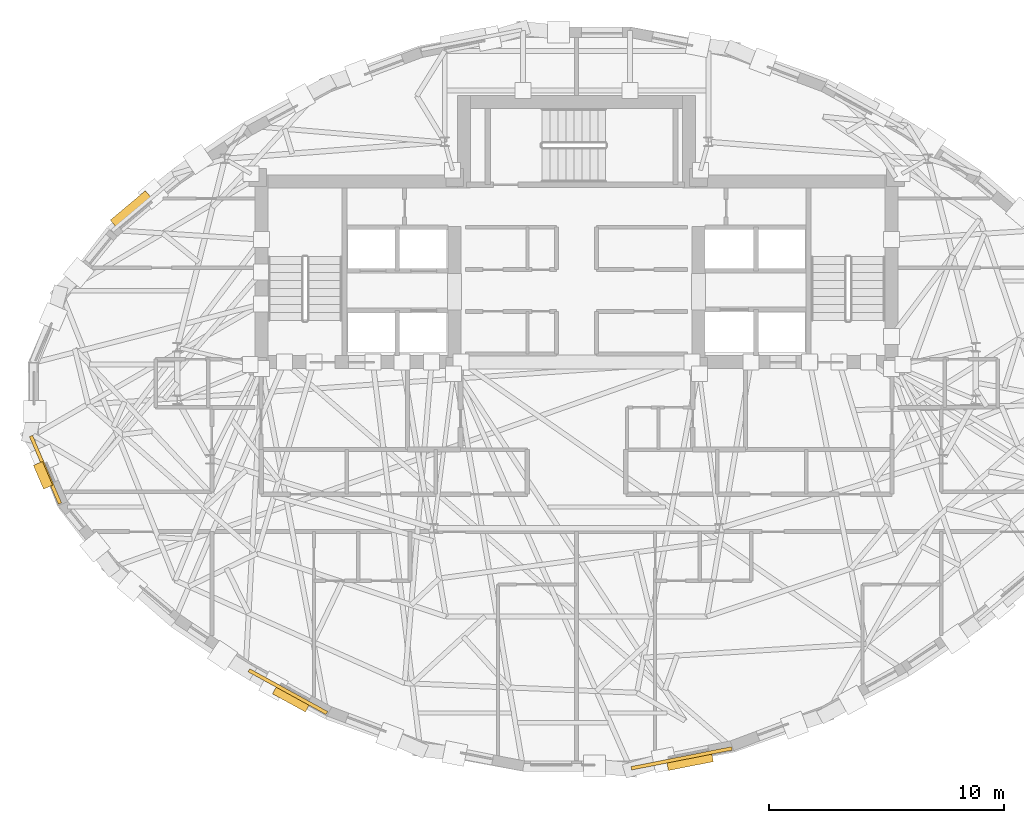
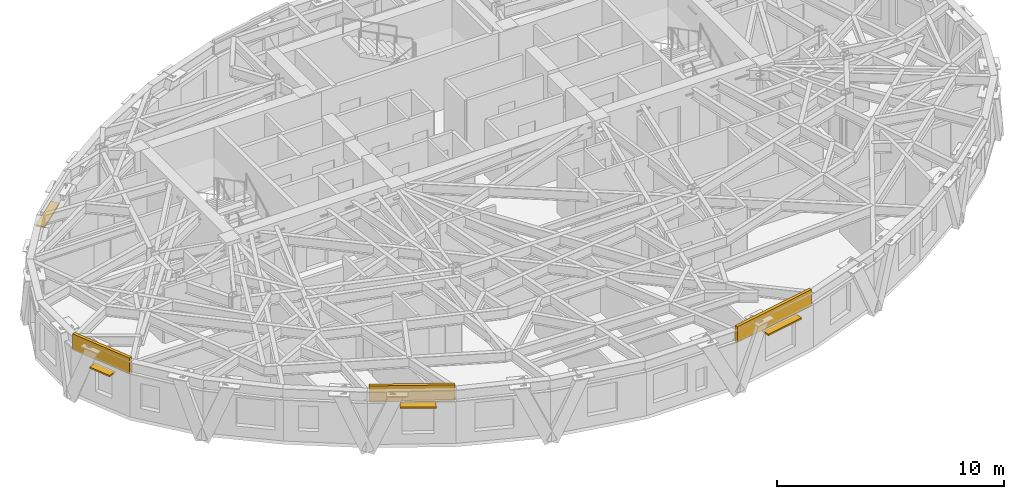
# One storey, part 12 of 14: 4 shading devices, 3 coverings.
"""IFC4 building model written with IfcOpenShell, lengths in metres."""

from ifc_helpers import new_model, si_unit, direction, frame, origin, origin_2d, place, context, subcontext, project, spatial, rectangle, extrude, material, layer, layer_set, type_object, element, save


model = new_model("IFC4")

# Units and contexts
model_context = context("Model", 3, precision=1e-05, world=origin(), true_north=direction((0.0, 1.0)))
body_context = subcontext(model_context, "Body", "Model", "MODEL_VIEW")
ifc_project = project(units=[si_unit("LENGTHUNIT", "METRE"), si_unit("AREAUNIT", "SQUARE_METRE"), si_unit("VOLUMEUNIT", "CUBIC_METRE"), si_unit("PLANEANGLEUNIT", "RADIAN"), si_unit("MASSUNIT", "GRAM", prefix="KILO")], contexts=[model_context])

# Site, building, storey
site_placement = place(None, origin())
site = spatial("IfcSite", under=ifc_project, at=site_placement, CompositionType="ELEMENT")
building_placement = place(site_placement, origin())
building = spatial("IfcBuilding", under=site, at=building_placement, Name="Keldmark Tower", CompositionType="ELEMENT")
storey_placement = place(building_placement, frame((0.0, 0.0, 216.300048828125)))
storey = spatial("IfcBuildingStorey", under=building, at=storey_placement, Name="L60", CompositionType="ELEMENT", Elevation=216.300048828125)

# Shading devices
ifc_material_1 = material(Name="Kasota Buff Limestone Bullnose and Bronze Anodized Aluminum", Category="masonry")
ifc_layer_1 = layer(ifc_material_1, 0.080078125)
ifc_layer_set_1 = layer_set([ifc_layer_1], Name="Kasota Buff Limestone Bullnose and Bronze Anodized Aluminum")
shading_device_type = type_object("IfcShadingDeviceType", Name="Deep-Set Punched Window Stone-and-Metal Sunshade", PredefinedType="AWNING", material=ifc_layer_set_1)
shading_device_1_placement = place(storey_placement, frame((-18.99560546875, 8.098388671875, 2.10986328125), z_axis=(0.0, 0.0, 1.0), x_axis=(0.766066880173, 0.642760869299, 0.0)))
element("IfcShadingDevice", 1, at=shading_device_1_placement, inside=storey, type_object=shading_device_type, Name="L60 Kasota Stone Window Sunshade 13", PredefinedType="AWNING", context=body_context, shape_type="SweptSolid", body=[
    extrude(rectangle(XDim=1.949951171875, YDim=0.419921875, at=origin_2d()), origin(), (0.0, 0.0, 1.0), 0.080078125),
])
shading_device_2_placement = place(storey_placement, frame((-22.747314453125, -3.246826171875, 1.93994140625), z_axis=(0.0, 0.0, 1.0), x_axis=(-0.394743856384, 0.918791210149, 0.0)))
element("IfcShadingDevice", 2, at=shading_device_2_placement, inside=storey, type_object=shading_device_type, Name="L60 Kasota Stone Window Sunshade 17", PredefinedType="AWNING", context=body_context, shape_type="SweptSolid", body=[
    extrude(rectangle(XDim=1.10009765625, YDim=0.419921875, at=origin_2d()), origin(), (0.0, 0.0, 1.0), 0.080078125),
])
shading_device_3_placement = place(storey_placement, frame((-12.161376953125, -12.768798828125, 2.10986328125), z_axis=(0.0, 0.0, 1.0), x_axis=(-0.876877819519, 0.480713313355, 0.0)))
element("IfcShadingDevice", 3, at=shading_device_3_placement, inside=storey, type_object=shading_device_type, Name="L60 Kasota Stone Window Sunshade 21", PredefinedType="AWNING", context=body_context, shape_type="SweptSolid", body=[
    extrude(rectangle(XDim=1.60009765625, YDim=0.419921875, at=origin_2d()), origin(), (0.0, 0.0, 1.0), 0.080078125),
])
shading_device_4_placement = place(storey_placement, frame((4.836181640625, -15.440673828125, 2.10986328125), z_axis=(0.0, 0.0, 1.0), x_axis=(-0.981026280067, -0.193874799339, 0.0)))
element("IfcShadingDevice", 4, at=shading_device_4_placement, inside=storey, type_object=shading_device_type, Name="L60 Kasota Stone Window Sunshade 25", PredefinedType="AWNING", context=body_context, shape_type="SweptSolid", body=[
    extrude(rectangle(XDim=1.949951171875, YDim=0.419921875, at=origin_2d()), origin(), (0.0, 0.0, 1.0), 0.080078125),
])

# Coverings
ifc_material_2 = material(Name="Honed Kasota Buff Dolomitic Limestone", Category="masonry")
ifc_layer_2 = layer(ifc_material_2, 0.074951171875)
ifc_layer_set_2 = layer_set([ifc_layer_2], Name="Honed Kasota Buff Dolomitic Limestone")
covering_type = type_object("IfcCoveringType", Name="Kasota Buff Limestone Spandrel Cladding Band", PredefinedType="CLADDING", material=ifc_layer_set_2)
covering_1_placement = place(storey_placement, frame((-22.641845703125, -3.01123046875, 2.260009765625), z_axis=(0.0, 0.0, 1.0), x_axis=(0.394743856384, -0.918791210149, 0.0)))
element("IfcCovering", 5, at=covering_1_placement, inside=storey, type_object=covering_type, Name="L60 Kasota Limestone Spandrel Band 17", PredefinedType="CLADDING", context=body_context, shape_type="SweptSolid", body=[
    extrude(rectangle(XDim=3.12890625, YDim=0.14990234375, at=origin_2d()), origin(), (0.0, 0.0, 1.0), 0.8701171875),
])
covering_2_placement = place(storey_placement, frame((-12.306396484375, -12.472900390625, 2.260009765625), z_axis=(0.0, 0.0, 1.0), x_axis=(0.876877819519, -0.480713313355, 0.0)))
element("IfcCovering", 6, at=covering_2_placement, inside=storey, type_object=covering_type, Name="L60 Kasota Limestone Spandrel Band 21", PredefinedType="CLADDING", context=body_context, shape_type="SweptSolid", body=[
    extrude(rectangle(XDim=3.78759765625, YDim=0.14990234375, at=origin_2d()), origin(), (0.0, 0.0, 1.0), 0.8701171875),
])
covering_3_placement = place(storey_placement, frame((4.482421875, -15.31689453125, 2.260009765625), z_axis=(0.0, 0.0, 1.0), x_axis=(0.981026280067, 0.193874799339, 0.0)))
element("IfcCovering", 7, at=covering_3_placement, inside=storey, type_object=covering_type, Name="L60 Kasota Limestone Spandrel Band 25", PredefinedType="CLADDING", context=body_context, shape_type="SweptSolid", body=[
    extrude(rectangle(XDim=4.366455078125, YDim=0.14990234375, at=origin_2d()), origin(), (0.0, 0.0, 1.0), 0.8701171875),
])

save(model, "model.ifc")
